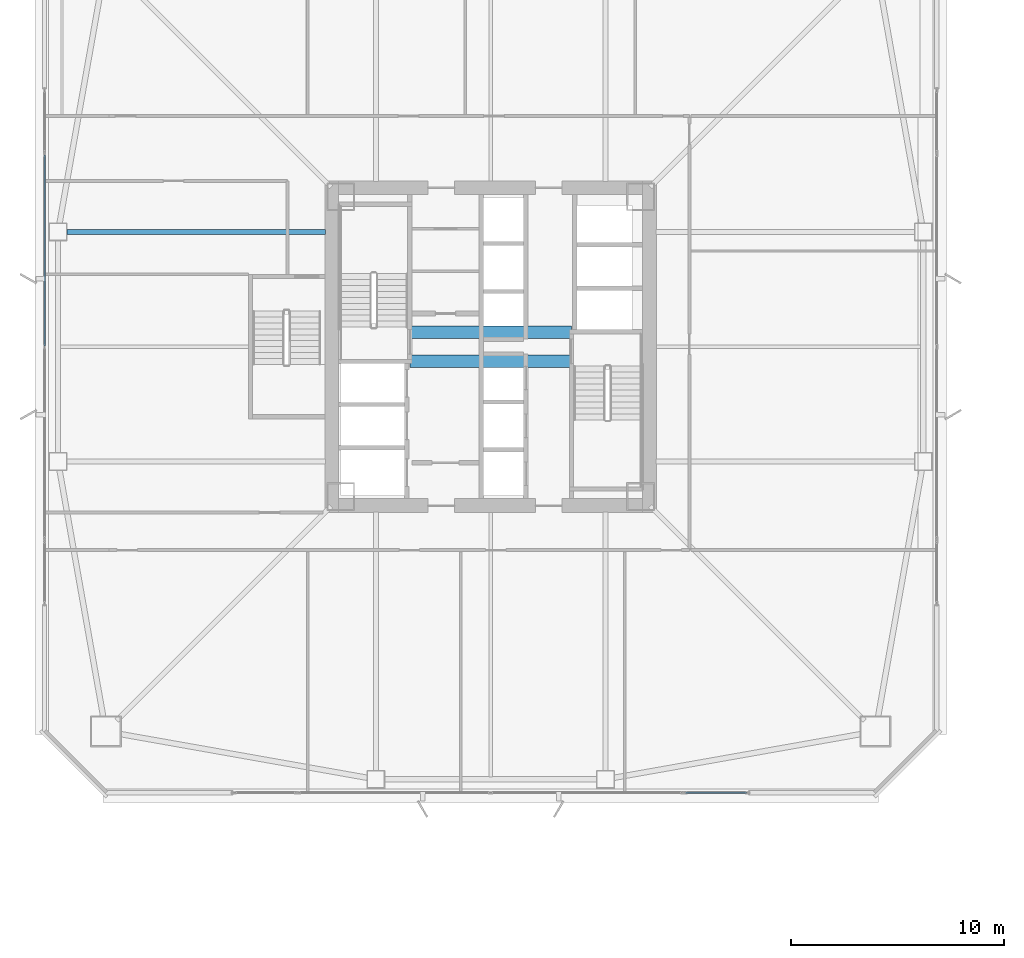
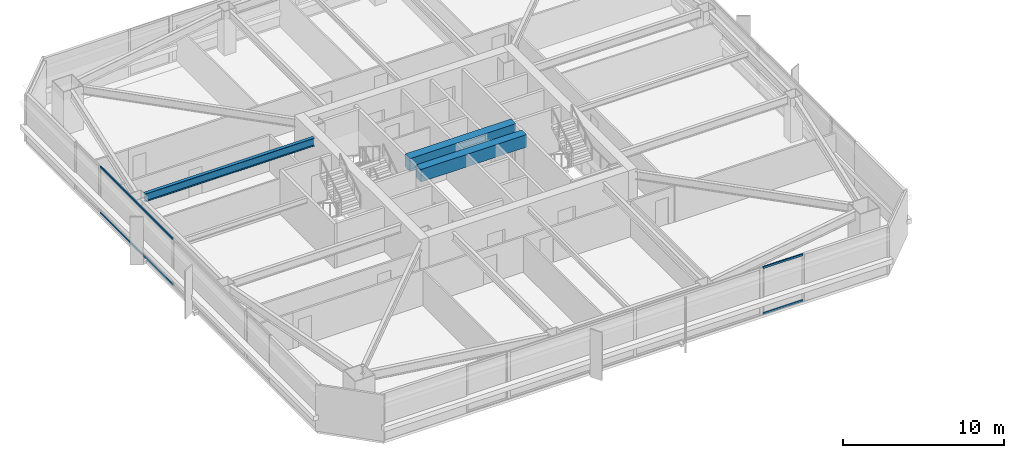
# One storey, part 8 of 49: 4 members, 3 beams, 2 elements without a shape of their own.
"""IFC4 building model written with IfcOpenShell, lengths in metres."""

from ifc_helpers import new_model, si_unit, direction, frame, origin, origin_2d, place, context, subcontext, project, spatial, rectangle, hollow_rectangle, i_section, extrude, material, material_profile, profile_set, type_object, element, aggregate, save


model = new_model("IFC4")

# Units and contexts
model_context = context("Model", 3, precision=1e-05, world=origin(), true_north=direction((0.0, 1.0)))
body_context = subcontext(model_context, "Body", "Model", "MODEL_VIEW")
ifc_project = project(units=[si_unit("LENGTHUNIT", "METRE"), si_unit("AREAUNIT", "SQUARE_METRE"), si_unit("VOLUMEUNIT", "CUBIC_METRE"), si_unit("PLANEANGLEUNIT", "RADIAN"), si_unit("MASSUNIT", "GRAM", prefix="KILO")], contexts=[model_context])

# Site, building, storey
site_placement = place(None, origin())
site = spatial("IfcSite", under=ifc_project, at=site_placement, CompositionType="ELEMENT")
building_placement = place(site_placement, origin())
building = spatial("IfcBuilding", under=site, at=building_placement, Name="Tashvorn Skyway Center", CompositionType="ELEMENT")
storey_placement = place(building_placement, frame((0.0, 0.0, 70.75)))
storey = spatial("IfcBuildingStorey", under=building, at=storey_placement, Name="L18", CompositionType="ELEMENT", Elevation=70.75)

# Beams
ifc_material_1 = material(Name="Steel ASTM A992 Grade 50", Category="steel")
ifc_material_profile_1 = material_profile(ifc_material_1, i_section(OverallWidth=0.22998046875, OverallDepth=0.616943359375, WebThickness=0.01318359375, FlangeThickness=0.022216796875, at=origin_2d()), Name="W24X94")
ifc_profile_set_1 = profile_set([ifc_material_profile_1], Name="Steel ASTM A992 Grade 50")
beam_type_1 = type_object("IfcBeamType", Name="BM-BEAM-W24X94", PredefinedType="BEAM", material=ifc_profile_set_1)
beam_placement = place(storey_placement, frame((22.070068359375, 37.39990234375, 3.04150390625), z_axis=(1.0, 0.0, 0.0), x_axis=(0.0, 1.0, 0.0)))
element("IfcBeam", 1, at=beam_placement, inside=storey, type_object=beam_type_1, Name="Tower 1 L18 Primary Floor Girder FC-W1", PredefinedType="BEAM", context=body_context, shape_type="SweptSolid", body=[
    extrude(i_section(OverallWidth=0.22998046875, OverallDepth=0.616943359375, WebThickness=0.01318359375, FlangeThickness=0.022216796875, at=origin_2d()), origin(), (0.0, 0.0, 1.0), 12.14990234375),
])
ifc_material_2 = material(Name="Concrete C60/75", Category="concrete")
ifc_material_profile_2 = material_profile(ifc_material_2, rectangle(XDim=0.60009765625, YDim=0.949951171875, at=origin_2d()), Name="RCB600x950")
ifc_profile_set_2 = profile_set([ifc_material_profile_2], Name="Concrete C60/75")
beam_type_2 = type_object("IfcBeamType", Name="BM-LINTEL-RCB600x950", PredefinedType="LINTEL", material=ifc_profile_set_2)
for number, where, z_axis, x_axis, name in (
    (2, (38.199951171875, 32.679931640625, 2.875), (1.0, 0.0, 0.0), (0.0, 1.0, 0.0), "Tower 1 L18 Core Coupling Beam CN"),
    (3, (38.199951171875, 31.320068359375, 2.875), (1.0, 0.0, 0.0), (0.0, 1.0, 0.0), "Tower 1 L18 Core Coupling Beam CS"),
):
    element("IfcBeam", number, at=place(storey_placement, frame(where, z_axis=z_axis, x_axis=x_axis)), inside=storey, type_object=beam_type_2, Name=name, PredefinedType="LINTEL", context=body_context, shape_type="SweptSolid", body=[
        extrude(rectangle(XDim=0.60009765625, YDim=0.949951171875, at=origin_2d()), origin(), (0.0, 0.0, 1.0), 7.60009765625),
    ])

# Curtain wall, members
ifc_material_3 = material(Name="Thermally broken bronze-anodized aluminium 6063-T6", Category="aluminium")
curtain_wall_type = type_object("IfcCurtainWallType", Name="CW-CW-Z2", PredefinedType="NOTDEFINED", material=ifc_material_3)
curtain_wall_1_placement = place(storey_placement, origin())
curtain_wall_1 = element("IfcCurtainWall", 4, at=curtain_wall_1_placement, inside=storey, type_object=curtain_wall_type, Name="Tower 1 L18 South Unitised Curtain Wall Glazing Group 1", PredefinedType="NOTDEFINED")
ifc_material_profile_3 = material_profile(ifc_material_3, hollow_rectangle(XDim=0.080078125, YDim=0.14990234375, WallThickness=0.00439453125, at=origin_2d()), Name="ALU-TRAN-80x150")
ifc_profile_set_3 = profile_set([ifc_material_profile_3], Name="Thermally broken bronze-anodized aluminium 6063-T6")
member_type = type_object("IfcMemberType", Name="CWT-CW-Z2", PredefinedType="USERDEFINED", material=ifc_profile_set_3)
member_1_placement = place(storey_placement, frame((54.0400390625, 11.02001953125, 0.0400390625), z_axis=(-1.0, 0.0, 0.0), x_axis=(0.0, -1.0, 0.0)))
member_1 = element("IfcMember", 5, at=member_1_placement, type_object=member_type, Name="CW-Z2 transom 1.1", ObjectType="TRANSOM", PredefinedType="USERDEFINED", context=body_context, shape_type="SweptSolid", body=[
    extrude(hollow_rectangle(XDim=0.080078125, YDim=0.14990234375, WallThickness=0.00439453125, at=origin_2d()), origin(), (0.0, 0.0, 1.0), 2.8701171875),
])
member_2_placement = place(storey_placement, frame((54.0400390625, 11.02001953125, 3.510009765625), z_axis=(-1.0, 0.0, 0.0), x_axis=(0.0, -1.0, 0.0)))
member_2 = element("IfcMember", 6, at=member_2_placement, type_object=member_type, Name="CW-Z2 transom 1.2", ObjectType="TRANSOM", PredefinedType="USERDEFINED", context=body_context, shape_type="SweptSolid", body=[
    extrude(hollow_rectangle(XDim=0.080078125, YDim=0.14990234375, WallThickness=0.00439453125, at=origin_2d()), origin(), (0.0, 0.0, 1.0), 2.8701171875),
])
aggregate(curtain_wall_1, [member_1, member_2])

curtain_wall_2_placement = place(storey_placement, origin())
curtain_wall_2 = element("IfcCurtainWall", 7, at=curtain_wall_2_placement, inside=storey, type_object=curtain_wall_type, Name="Tower 1 L18 West Unitised Curtain Wall Glazing Group 2", PredefinedType="NOTDEFINED")
member_3_placement = place(storey_placement, frame((21.02001953125, 32.0400390625, 0.0400390625), z_axis=(0.0, 1.0, 0.0), x_axis=(-1.0, 0.0, 0.0)))
member_3 = element("IfcMember", 8, at=member_3_placement, type_object=member_type, Name="CW-Z2 transom 2.1", ObjectType="TRANSOM", PredefinedType="USERDEFINED", context=body_context, shape_type="SweptSolid", body=[
    extrude(hollow_rectangle(XDim=0.080078125, YDim=0.14990234375, WallThickness=0.00439453125, at=origin_2d()), origin(), (0.0, 0.0, 1.0), 8.969970703125),
])
member_4_placement = place(storey_placement, frame((21.02001953125, 32.0400390625, 3.510009765625), z_axis=(0.0, 1.0, 0.0), x_axis=(-1.0, 0.0, 0.0)))
member_4 = element("IfcMember", 9, at=member_4_placement, type_object=member_type, Name="CW-Z2 transom 2.2", ObjectType="TRANSOM", PredefinedType="USERDEFINED", context=body_context, shape_type="SweptSolid", body=[
    extrude(hollow_rectangle(XDim=0.080078125, YDim=0.14990234375, WallThickness=0.00439453125, at=origin_2d()), origin(), (0.0, 0.0, 1.0), 8.969970703125),
])
aggregate(curtain_wall_2, [member_3, member_4])

save(model, "model.ifc")
